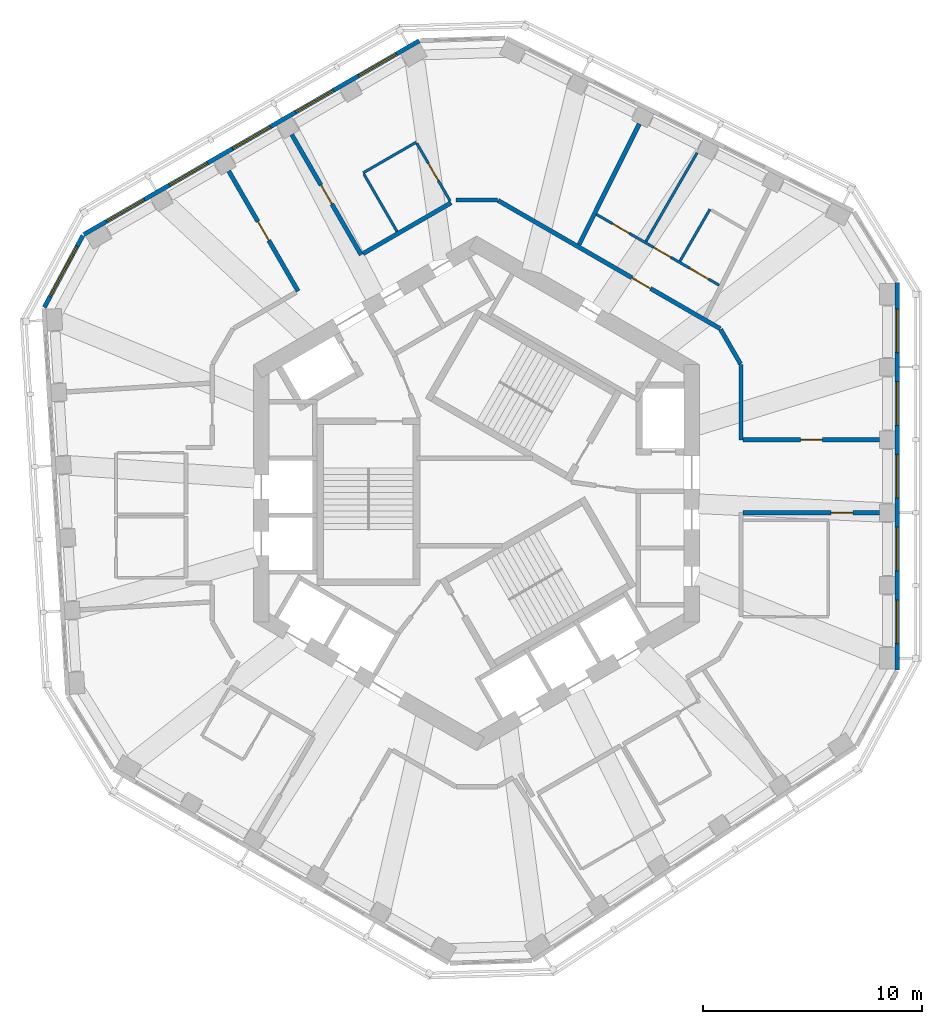
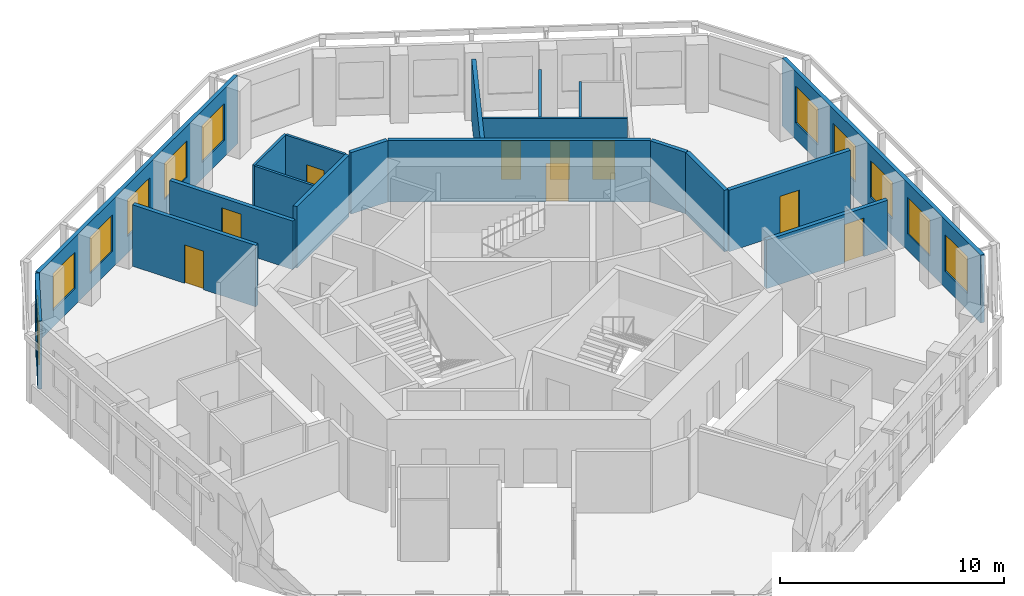
# One storey, part 7 of 11: 19 walls, 11 windows, 9 doors, 20 openings.
"""IFC4 building model written with IfcOpenShell, lengths in metres."""

from ifc_helpers import new_model, si_unit, direction, frame, frame_2d, origin, place, context, subcontext, project, spatial, rectangle, extrude, material, layer, layer_set, type_object, element, fill, save


model = new_model("IFC4")

# Units and contexts
model_context = context("Model", 3, precision=1e-05, world=origin(), true_north=direction((0.0, 1.0)))
body_context = subcontext(model_context, "Body", "Model", "MODEL_VIEW")
ifc_project = project(units=[si_unit("LENGTHUNIT", "METRE"), si_unit("AREAUNIT", "SQUARE_METRE"), si_unit("VOLUMEUNIT", "CUBIC_METRE"), si_unit("PLANEANGLEUNIT", "RADIAN"), si_unit("MASSUNIT", "GRAM", prefix="KILO")], contexts=[model_context])

# Site, building, storey
site_placement = place(None, origin())
site = spatial("IfcSite", under=ifc_project, at=site_placement, CompositionType="ELEMENT")
building_placement = place(site_placement, origin())
building = spatial("IfcBuilding", under=site, at=building_placement, Name="Vanh Sen Convention Tower", CompositionType="ELEMENT")
storey_placement = place(building_placement, frame((0.0, 0.0, 274.60009765625)))
storey = spatial("IfcBuildingStorey", under=building, at=storey_placement, Name="L68", CompositionType="ELEMENT", Elevation=274.60009765625)

# Walls
ifc_material_1 = material(Name="Moisture-resistant gypsum board on steel studs", Category="steel")
ifc_layer_1 = layer(ifc_material_1, 0.1201171875)
ifc_layer_set_1 = layer_set([ifc_layer_1], Name="Moisture-resistant gypsum board on steel studs")
wall_type_1 = type_object("IfcWallType", Name="Bathroom partition 120", PredefinedType="PARTITIONING", material=ifc_layer_set_1)
wall_1_placement = place(storey_placement, frame((-5.19140625, 14.669677734375, 0.0), z_axis=(0.0, 0.0, 1.0), x_axis=(0.866034573852, 0.49998411664, 0.0)))
element("IfcWall", 1, at=wall_1_placement, inside=storey, type_object=wall_type_1, Name="Bathroom partition 120", PredefinedType="PARTITIONING", context=body_context, shape_type="SweptSolid", body=[
    extrude(rectangle(XDim=2.7998046875, YDim=0.1201171875, at=frame_2d((1.39990234375, 0.0))), origin(), (0.0, 0.0, 1.0), 3.349853515625),
])
wall_2_placement = place(storey_placement, frame((-3.641357421875, 11.985107421875, 0.0), z_axis=(0.0, 0.0, 1.0), x_axis=(-0.500026023896, 0.86601037836, 0.0)))
element("IfcWall", 2, at=wall_2_placement, inside=storey, type_object=wall_type_1, Name="Bathroom partition 120", PredefinedType="PARTITIONING", context=body_context, shape_type="SweptSolid", body=[
    extrude(rectangle(XDim=3.039794921875, YDim=0.1201171875, at=frame_2d((1.52001953125, 0.0))), origin(), (0.0, 0.0, 1.0), 3.349853515625),
])

# Wall, opening, door
wall_3_placement = place(storey_placement, frame((-2.736572265625, 16.017578125, 0.0), z_axis=(0.0, 0.0, 1.0), x_axis=(0.500026023896, -0.86601037836, 0.0)))
wall_3 = element("IfcWall", 3, at=wall_3_placement, inside=storey, type_object=wall_type_1, Name="Bathroom partition 120", PredefinedType="PARTITIONING", context=body_context, shape_type="SweptSolid", body=[
    extrude(rectangle(XDim=3.039794921875, YDim=0.1201171875, at=frame_2d((1.52001953125, 0.0))), origin(), (0.0, 0.0, 1.0), 3.349853515625),
])
opening_1_placement = place(wall_3_placement, frame((1.06982421875, 0.0, 0.0)))
opening_1 = element("IfcOpeningElement", 4, at=opening_1_placement, cuts=wall_3, Name="Opening D67107", PredefinedType="OPENING", context=body_context, shape_type="SweptSolid", body=[
    extrude(rectangle(XDim=0.89990234375, YDim=2.10009765625, at=frame_2d((0.449951171875, 1.050048828125))), frame((0.0, 0.070068359375, 0.0), z_axis=(0.0, -1.0, 0.0), x_axis=(1.0, 0.0, 0.0)), (0.0, 0.0, 1.0), 0.14013671875),
])
ifc_material_2 = material(Name="Laminate door in steel frame", Category="steel")
door_type_1 = type_object("IfcDoorType", Name="Room internal door 900", OperationType="SINGLE_SWING_LEFT", PredefinedType="DOOR", material=ifc_material_2)
door_1_placement = place(opening_1_placement, origin())
door_1 = element("IfcDoor", 5, at=door_1_placement, inside=storey, type_object=door_type_1, Name="Internal room door D67107", OperationType="SINGLE_SWING_LEFT", OverallHeight=2.10009765625, OverallWidth=0.89990234375, PredefinedType="DOOR", context=body_context, shape_type="SweptSolid", body=[
    extrude(rectangle(XDim=0.89990234375, YDim=2.10009765625, at=frame_2d((0.449951171875, 1.050048828125))), frame((0.0, 0.02490234375, 0.0), z_axis=(0.0, -1.0, 0.0), x_axis=(1.0, 0.0, 0.0)), (0.0, 0.0, 1.0), 0.050048828125),
])
fill(opening_1, door_1)

# Walls
wall_4_placement = place(storey_placement, frame((10.0908203125, 15.5849609375, 0.0), z_axis=(0.0, 0.0, 1.0), x_axis=(-0.499969186147, -0.86604319344, 0.0)))
element("IfcWall", 6, at=wall_4_placement, inside=storey, type_object=wall_type_1, Name="Bathroom partition 120", PredefinedType="PARTITIONING", context=body_context, shape_type="SweptSolid", body=[
    extrude(rectangle(XDim=4.682373046875, YDim=0.1201171875, at=frame_2d((2.34130859375, 0.0))), origin(), (0.0, 0.0, 1.0), 2.64990234375),
])
wall_5_placement = place(storey_placement, frame((10.6787109375, 13.002685546875, 0.0), z_axis=(0.0, 0.0, 1.0), x_axis=(-0.500048966069, -0.865997131366, 0.0)))
element("IfcWall", 7, at=wall_5_placement, inside=storey, type_object=wall_type_1, Name="Bathroom partition 120", PredefinedType="PARTITIONING", context=body_context, shape_type="SweptSolid", body=[
    extrude(rectangle(XDim=2.739990234375, YDim=0.1201171875, at=frame_2d((1.3701171875, 0.0))), origin(), (0.0, 0.0, 1.0), 3.349853515625),
])

# Wall, openings, doors
wall_6_placement = place(storey_placement, frame((11.097412109375, 9.52783203125, 0.0), z_axis=(0.0, 0.0, 1.0), x_axis=(-0.866039938485, 0.499974824316, 0.0)))
wall_6 = element("IfcWall", 8, at=wall_6_placement, inside=storey, type_object=wall_type_1, Name="Bathroom partition 120", PredefinedType="PARTITIONING", context=body_context, shape_type="SweptSolid", body=[
    extrude(rectangle(XDim=6.475830078125, YDim=0.1201171875, at=frame_2d((3.23779296875, 0.0))), origin(), (0.0, 0.0, 1.0), 3.349853515625),
])
opening_2_placement = place(wall_6_placement, frame((0.550048828125, 0.0, 0.0)))
opening_2 = element("IfcOpeningElement", 9, at=opening_2_placement, cuts=wall_6, Name="Opening D67103", PredefinedType="OPENING", context=body_context, shape_type="SweptSolid", body=[
    extrude(rectangle(XDim=1.0, YDim=2.10009765625, at=frame_2d((0.5, 1.050048828125))), frame((0.0, 0.070068359375, 0.0), z_axis=(0.0, -1.0, 0.0), x_axis=(1.0, 0.0, 0.0)), (0.0, 0.0, 1.0), 0.14013671875),
])
opening_3_placement = place(wall_6_placement, frame((2.550048828125, 0.0, 0.0)))
opening_3 = element("IfcOpeningElement", 10, at=opening_3_placement, cuts=wall_6, Name="Opening D67104", PredefinedType="OPENING", context=body_context, shape_type="SweptSolid", body=[
    extrude(rectangle(XDim=0.89990234375, YDim=2.10009765625, at=frame_2d((0.449951171875, 1.050048828125))), frame((0.0, 0.070068359375, 0.0), z_axis=(0.0, -1.0, 0.0), x_axis=(1.0, 0.0, 0.0)), (0.0, 0.0, 1.0), 0.14013671875),
])
opening_4_placement = place(wall_6_placement, frame((4.73779296875, 0.0, 0.0)))
opening_4 = element("IfcOpeningElement", 11, at=opening_4_placement, cuts=wall_6, Name="Opening D67105", PredefinedType="OPENING", context=body_context, shape_type="SweptSolid", body=[
    extrude(rectangle(XDim=0.89990234375, YDim=2.10009765625, at=frame_2d((0.449951171875, 1.050048828125))), frame((0.0, 0.070068359375, 0.0), z_axis=(0.0, -1.0, 0.0), x_axis=(1.0, 0.0, 0.0)), (0.0, 0.0, 1.0), 0.14013671875),
])
door_type_2 = type_object("IfcDoorType", Name="Accessible WC door 1000", OperationType="SINGLE_SWING_LEFT", PredefinedType="DOOR", material=ifc_material_2)
door_2_placement = place(opening_2_placement, origin())
door_2 = element("IfcDoor", 12, at=door_2_placement, inside=storey, type_object=door_type_2, Name="Accessible WC door D67103", OperationType="SINGLE_SWING_LEFT", OverallHeight=2.10009765625, OverallWidth=1.0, PredefinedType="DOOR", context=body_context, shape_type="SweptSolid", body=[
    extrude(rectangle(XDim=1.0, YDim=2.10009765625, at=frame_2d((0.5, 1.050048828125))), frame((0.0, 0.02490234375, 0.0), z_axis=(0.0, -1.0, 0.0), x_axis=(1.0, 0.0, 0.0)), (0.0, 0.0, 1.0), 0.050048828125),
])
fill(opening_2, door_2)
door_3_placement = place(opening_3_placement, origin())
door_3 = element("IfcDoor", 13, at=door_3_placement, inside=storey, type_object=door_type_1, Name="Internal room door D67104", OperationType="SINGLE_SWING_LEFT", OverallHeight=2.10009765625, OverallWidth=0.89990234375, PredefinedType="DOOR", context=body_context, shape_type="SweptSolid", body=[
    extrude(rectangle(XDim=0.89990234375, YDim=2.10009765625, at=frame_2d((0.449951171875, 1.050048828125))), frame((0.0, 0.02490234375, 0.0), z_axis=(0.0, -1.0, 0.0), x_axis=(1.0, 0.0, 0.0)), (0.0, 0.0, 1.0), 0.050048828125),
])
fill(opening_3, door_3)
door_4_placement = place(opening_4_placement, origin())
door_4 = element("IfcDoor", 14, at=door_4_placement, inside=storey, type_object=door_type_1, Name="Internal room door D67105", OperationType="SINGLE_SWING_LEFT", OverallHeight=2.10009765625, OverallWidth=0.89990234375, PredefinedType="DOOR", context=body_context, shape_type="SweptSolid", body=[
    extrude(rectangle(XDim=0.89990234375, YDim=2.10009765625, at=frame_2d((0.449951171875, 1.050048828125))), frame((0.0, 0.02490234375, 0.0), z_axis=(0.0, -1.0, 0.0), x_axis=(1.0, 0.0, 0.0)), (0.0, 0.0, 1.0), 0.050048828125),
])
fill(opening_4, door_4)

# Wall, opening, door
ifc_material_3 = material(Name="Gypsum board on steel studs with mineral wool", Category="steel")
ifc_layer_2 = layer(ifc_material_3, 0.199951171875)
ifc_layer_set_2 = layer_set([ifc_layer_2], Name="Gypsum board on steel studs with mineral wool")
wall_type_2 = type_object("IfcWallType", Name="Corridor partition wall 200", PredefinedType="PARTITIONING", material=ifc_layer_set_2)
wall_7_placement = place(storey_placement, frame((-11.34521484375, 14.754150390625, 0.0), z_axis=(0.0, 0.0, 1.0), x_axis=(0.500005339912, -0.866022320763, 0.0)))
wall_7 = element("IfcWall", 15, at=wall_7_placement, inside=storey, type_object=wall_type_2, Name="Corridor partition wall 200", PredefinedType="PARTITIONING", context=body_context, shape_type="SweptSolid", body=[
    extrude(rectangle(XDim=6.35009765625, YDim=0.199951171875, at=frame_2d((3.175048828125, 0.0))), origin(), (0.0, 0.0, 1.0), 3.349853515625),
])
opening_5_placement = place(wall_7_placement, frame((2.675048828125, 0.0, 0.0)))
opening_5 = element("IfcOpeningElement", 16, at=opening_5_placement, cuts=wall_7, Name="Opening D67108", PredefinedType="OPENING", context=body_context, shape_type="SweptSolid", body=[
    extrude(rectangle(XDim=1.0, YDim=2.10009765625, at=frame_2d((0.5, 1.050048828125))), frame((0.0, 0.10986328125, 0.0), z_axis=(0.0, -1.0, 0.0), x_axis=(1.0, 0.0, 0.0)), (0.0, 0.0, 1.0), 0.219970703125),
])
ifc_material_4 = material(Name="Timber fire door in steel frame", Category="steel")
door_type_3 = type_object("IfcDoorType", Name="Floor room door 1000", OperationType="SINGLE_SWING_LEFT", PredefinedType="DOOR", material=ifc_material_4)
door_5_placement = place(opening_5_placement, origin())
door_5 = element("IfcDoor", 17, at=door_5_placement, inside=storey, type_object=door_type_3, Name="Meeting and amenity room door D67108", OperationType="SINGLE_SWING_LEFT", OverallHeight=2.10009765625, OverallWidth=1.0, PredefinedType="DOOR", context=body_context, shape_type="SweptSolid", body=[
    extrude(rectangle(XDim=1.0, YDim=2.10009765625, at=frame_2d((0.5, 1.050048828125))), frame((0.0, 0.02490234375, 0.0), z_axis=(0.0, -1.0, 0.0), x_axis=(1.0, 0.0, 0.0)), (0.0, 0.0, 1.0), 0.050048828125),
])
fill(opening_5, door_5)

wall_8_placement = place(storey_placement, frame((-8.4599609375, 16.419921875, 0.0), z_axis=(0.0, 0.0, 1.0), x_axis=(0.500005339912, -0.866022320763, 0.0)))
wall_8 = element("IfcWall", 18, at=wall_8_placement, inside=storey, type_object=wall_type_2, Name="Corridor partition wall 200", PredefinedType="PARTITIONING", context=body_context, shape_type="SweptSolid", body=[
    extrude(rectangle(XDim=6.35009765625, YDim=0.199951171875, at=frame_2d((3.175048828125, 0.0))), origin(), (0.0, 0.0, 1.0), 2.64990234375),
])
opening_6_placement = place(wall_8_placement, frame((2.675048828125, 0.0, 0.0)))
opening_6 = element("IfcOpeningElement", 19, at=opening_6_placement, cuts=wall_8, Name="Opening D67106", PredefinedType="OPENING", context=body_context, shape_type="SweptSolid", body=[
    extrude(rectangle(XDim=1.0, YDim=2.10009765625, at=frame_2d((0.5, 1.050048828125))), frame((0.0, 0.10986328125, 0.0), z_axis=(0.0, -1.0, 0.0), x_axis=(1.0, 0.0, 0.0)), (0.0, 0.0, 1.0), 0.219970703125),
])
ifc_material_5 = material(Name="Glazed fire door in steel frame", Category="steel")
door_type_4 = type_object("IfcDoorType", Name="Tenant entrance door 1000", OperationType="SINGLE_SWING_LEFT", PredefinedType="DOOR", material=ifc_material_5)
door_6_placement = place(opening_6_placement, origin())
door_6 = element("IfcDoor", 20, at=door_6_placement, inside=storey, type_object=door_type_4, Name="Tenant suite entrance door D67106", OperationType="SINGLE_SWING_LEFT", OverallHeight=2.10009765625, OverallWidth=1.0, PredefinedType="DOOR", context=body_context, shape_type="SweptSolid", body=[
    extrude(rectangle(XDim=1.0, YDim=2.10009765625, at=frame_2d((0.5, 1.050048828125))), frame((0.0, 0.02490234375, 0.0), z_axis=(0.0, -1.0, 0.0), x_axis=(1.0, 0.0, 0.0)), (0.0, 0.0, 1.0), 0.050048828125),
])
fill(opening_6, door_6)

# Walls
wall_9_placement = place(storey_placement, frame((-1.16650390625, 13.29833984375, 0.0), z_axis=(0.0, 0.0, 1.0), x_axis=(-0.866033631887, -0.499985748238, 0.0)))
element("IfcWall", 21, at=wall_9_placement, inside=storey, type_object=wall_type_2, Name="Corridor partition wall 200", PredefinedType="PARTITIONING", context=body_context, shape_type="SweptSolid", body=[
    extrude(rectangle(XDim=4.655517578125, YDim=0.199951171875, at=frame_2d((2.32763671875, 0.0))), origin(), (0.0, 0.0, 1.0), 3.349853515625),
])
wall_10_placement = place(storey_placement, frame((0.949951171875, 13.42333984375, 0.0), z_axis=(0.0, 0.0, 1.0), x_axis=(-1.0, 0.0, 0.0)))
element("IfcWall", 22, at=wall_10_placement, inside=storey, type_object=wall_type_2, Name="Corridor partition wall 200", PredefinedType="PARTITIONING", context=body_context, shape_type="SweptSolid", body=[
    extrude(rectangle(XDim=1.89990234375, YDim=0.199951171875, at=frame_2d((0.949951171875, 0.0))), origin(), (0.0, 0.0, 1.0), 3.349853515625),
])

# Wall, opening, door
wall_11_placement = place(storey_placement, frame((11.14990234375, 7.534423828125, 0.0), z_axis=(0.0, 0.0, 1.0), x_axis=(-0.866026603062, 0.499997922785, 0.0)))
wall_11 = element("IfcWall", 23, at=wall_11_placement, inside=storey, type_object=wall_type_2, Name="Corridor partition wall 200", PredefinedType="PARTITIONING", context=body_context, shape_type="SweptSolid", body=[
    extrude(rectangle(XDim=11.73779296875, YDim=0.199951171875, at=frame_2d((5.868896484375, 0.0))), origin(), (0.0, 0.0, 1.0), 3.349853515625),
])
opening_7_placement = place(wall_11_placement, frame((3.67626953125, 0.0, 0.0)))
opening_7 = element("IfcOpeningElement", 24, at=opening_7_placement, cuts=wall_11, Name="Opening D67102", PredefinedType="OPENING", context=body_context, shape_type="SweptSolid", body=[
    extrude(rectangle(XDim=1.0, YDim=2.10009765625, at=frame_2d((0.5, 1.050048828125))), frame((0.0, 0.10986328125, 0.0), z_axis=(0.0, -1.0, 0.0), x_axis=(1.0, 0.0, 0.0)), (0.0, 0.0, 1.0), 0.219970703125),
])
door_7_placement = place(opening_7_placement, origin())
door_7 = element("IfcDoor", 25, at=door_7_placement, inside=storey, type_object=door_type_3, Name="Meeting and amenity room door D67102", OperationType="SINGLE_SWING_LEFT", OverallHeight=2.10009765625, OverallWidth=1.0, PredefinedType="DOOR", context=body_context, shape_type="SweptSolid", body=[
    extrude(rectangle(XDim=1.0, YDim=2.10009765625, at=frame_2d((0.5, 1.050048828125))), frame((0.0, 0.02490234375, 0.0), z_axis=(0.0, -1.0, 0.0), x_axis=(1.0, 0.0, 0.0)), (0.0, 0.0, 1.0), 0.050048828125),
])
fill(opening_7, door_7)

# Walls
wall_12_placement = place(storey_placement, frame((12.080078125, 5.923583984375, 0.0), z_axis=(0.0, 0.0, 1.0), x_axis=(-0.500004960326, 0.86602253992, 0.0)))
element("IfcWall", 26, at=wall_12_placement, inside=storey, type_object=wall_type_2, Name="Corridor partition wall 200", PredefinedType="PARTITIONING", context=body_context, shape_type="SweptSolid", body=[
    extrude(rectangle(XDim=1.8203125, YDim=0.199951171875, at=frame_2d((0.91015625, 0.0))), origin(), (0.0, 0.0, 1.0), 3.349853515625),
])
wall_13_placement = place(storey_placement, frame((12.10009765625, 2.4482421875, 0.0), z_axis=(0.0, 0.0, 1.0), x_axis=(0.0, 1.0, 0.0)))
element("IfcWall", 27, at=wall_13_placement, inside=storey, type_object=wall_type_2, Name="Corridor partition wall 200", PredefinedType="PARTITIONING", context=body_context, shape_type="SweptSolid", body=[
    extrude(rectangle(XDim=3.440673828125, YDim=0.199951171875, at=frame_2d((1.72021484375, 0.0))), origin(), (0.0, 0.0, 1.0), 3.349853515625),
])

# Wall, opening, door
wall_14_placement = place(storey_placement, frame((12.199951171875, -0.88330078125, 0.0), z_axis=(0.0, 0.0, 1.0), x_axis=(1.0, 0.0, 0.0)))
wall_14 = element("IfcWall", 28, at=wall_14_placement, inside=storey, type_object=wall_type_2, Name="Corridor partition wall 200", PredefinedType="PARTITIONING", context=body_context, shape_type="SweptSolid", body=[
    extrude(rectangle(XDim=6.25, YDim=0.199951171875, at=frame_2d((3.125, 0.0))), origin(), (0.0, 0.0, 1.0), 2.64990234375),
])
opening_8_placement = place(wall_14_placement, frame((4.02490234375, 0.0, 0.0)))
opening_8 = element("IfcOpeningElement", 29, at=opening_8_placement, cuts=wall_14, Name="Opening D67118", PredefinedType="OPENING", context=body_context, shape_type="SweptSolid", body=[
    extrude(rectangle(XDim=1.0, YDim=2.10009765625, at=frame_2d((0.5, 1.050048828125))), frame((0.0, 0.10986328125, 0.0), z_axis=(0.0, -1.0, 0.0), x_axis=(1.0, 0.0, 0.0)), (0.0, 0.0, 1.0), 0.219970703125),
])
door_8_placement = place(opening_8_placement, origin())
door_8 = element("IfcDoor", 30, at=door_8_placement, inside=storey, type_object=door_type_4, Name="Tenant suite entrance door D67118", OperationType="SINGLE_SWING_LEFT", OverallHeight=2.10009765625, OverallWidth=1.0, PredefinedType="DOOR", context=body_context, shape_type="SweptSolid", body=[
    extrude(rectangle(XDim=1.0, YDim=2.10009765625, at=frame_2d((0.5, 1.050048828125))), frame((0.0, 0.02490234375, 0.0), z_axis=(0.0, -1.0, 0.0), x_axis=(1.0, 0.0, 0.0)), (0.0, 0.0, 1.0), 0.050048828125),
])
fill(opening_8, door_8)

wall_15_placement = place(storey_placement, frame((18.449951171875, 2.4482421875, 0.0), z_axis=(0.0, 0.0, 1.0), x_axis=(-1.0, 0.0, 0.0)))
wall_15 = element("IfcWall", 31, at=wall_15_placement, inside=storey, type_object=wall_type_2, Name="Corridor partition wall 200", PredefinedType="PARTITIONING", context=body_context, shape_type="SweptSolid", body=[
    extrude(rectangle(XDim=6.25, YDim=0.199951171875, at=frame_2d((3.125, 0.0))), origin(), (0.0, 0.0, 1.0), 3.349853515625),
])
opening_9_placement = place(wall_15_placement, frame((2.625, 0.0, 0.0)))
opening_9 = element("IfcOpeningElement", 32, at=opening_9_placement, cuts=wall_15, Name="Opening D67101", PredefinedType="OPENING", context=body_context, shape_type="SweptSolid", body=[
    extrude(rectangle(XDim=1.0, YDim=2.10009765625, at=frame_2d((0.5, 1.050048828125))), frame((0.0, 0.10986328125, 0.0), z_axis=(0.0, -1.0, 0.0), x_axis=(1.0, 0.0, 0.0)), (0.0, 0.0, 1.0), 0.219970703125),
])
door_9_placement = place(opening_9_placement, origin())
door_9 = element("IfcDoor", 33, at=door_9_placement, inside=storey, type_object=door_type_3, Name="Meeting and amenity room door D67101", OperationType="SINGLE_SWING_LEFT", OverallHeight=2.10009765625, OverallWidth=1.0, PredefinedType="DOOR", context=body_context, shape_type="SweptSolid", body=[
    extrude(rectangle(XDim=1.0, YDim=2.10009765625, at=frame_2d((0.5, 1.050048828125))), frame((0.0, 0.02490234375, 0.0), z_axis=(0.0, -1.0, 0.0), x_axis=(1.0, 0.0, 0.0)), (0.0, 0.0, 1.0), 0.050048828125),
])
fill(opening_9, door_9)

# Wall, openings, windows
ifc_material_6 = material(Name="Insulated lightweight infill wall")
ifc_layer_3 = layer(ifc_material_6, 0.199951171875)
ifc_layer_set_3 = layer_set([ifc_layer_3], Name="Insulated lightweight infill wall")
wall_type_3 = type_object("IfcWallType", Name="External wall 200", PredefinedType="STANDARD", material=ifc_layer_set_3)
wall_16_placement = place(storey_placement, frame((19.25, -8.083984375, 0.0), z_axis=(0.0, 0.0, 1.0), x_axis=(0.0, 1.0, 0.0)))
wall_16 = element("IfcWall", 34, at=wall_16_placement, inside=storey, type_object=wall_type_3, Name="External wall E L68", PredefinedType="STANDARD", context=body_context, shape_type="SweptSolid", body=[
    extrude(rectangle(XDim=17.731201171875, YDim=0.199951171875, at=frame_2d((8.86572265625, 0.0))), origin(), (0.0, 0.0, 1.0), 3.699951171875),
])
opening_10_placement = place(wall_16_placement, frame((1.203125, 0.0, 0.89990234375)))
opening_10 = element("IfcOpeningElement", 35, at=opening_10_placement, cuts=wall_16, Name="Opening WO5-E1", PredefinedType="OPENING", context=body_context, shape_type="SweptSolid", body=[
    extrude(rectangle(XDim=2.0, YDim=2.0, at=frame_2d((1.0, 1.0))), frame((0.0, 0.10986328125, 0.0), z_axis=(0.0, -1.0, 0.0), x_axis=(1.0, 0.0, 0.0)), (0.0, 0.0, 1.0), 0.219970703125),
])
opening_11_placement = place(wall_16_placement, frame((4.534912109375, 0.0, 0.89990234375)))
opening_11 = element("IfcOpeningElement", 36, at=opening_11_placement, cuts=wall_16, Name="Opening WO5-E2", PredefinedType="OPENING", context=body_context, shape_type="SweptSolid", body=[
    extrude(rectangle(XDim=2.0, YDim=2.0, at=frame_2d((1.0, 1.0))), frame((0.0, 0.10986328125, 0.0), z_axis=(0.0, -1.0, 0.0), x_axis=(1.0, 0.0, 0.0)), (0.0, 0.0, 1.0), 0.219970703125),
])
opening_12_placement = place(wall_16_placement, frame((7.866455078125, 0.0, 0.89990234375)))
opening_12 = element("IfcOpeningElement", 37, at=opening_12_placement, cuts=wall_16, Name="Opening WO5-E3", PredefinedType="OPENING", context=body_context, shape_type="SweptSolid", body=[
    extrude(rectangle(XDim=2.0, YDim=2.0, at=frame_2d((1.0, 1.0))), frame((0.0, 0.10986328125, 0.0), z_axis=(0.0, -1.0, 0.0), x_axis=(1.0, 0.0, 0.0)), (0.0, 0.0, 1.0), 0.219970703125),
])
opening_13_placement = place(wall_16_placement, frame((11.197998046875, 0.0, 0.89990234375)))
opening_13 = element("IfcOpeningElement", 38, at=opening_13_placement, cuts=wall_16, Name="Opening WO5-E4", PredefinedType="OPENING", context=body_context, shape_type="SweptSolid", body=[
    extrude(rectangle(XDim=2.0, YDim=2.0, at=frame_2d((1.0, 1.0))), frame((0.0, 0.10986328125, 0.0), z_axis=(0.0, -1.0, 0.0), x_axis=(1.0, 0.0, 0.0)), (0.0, 0.0, 1.0), 0.219970703125),
])
opening_14_placement = place(wall_16_placement, frame((14.52978515625, 0.0, 0.89990234375)))
opening_14 = element("IfcOpeningElement", 39, at=opening_14_placement, cuts=wall_16, Name="Opening WO5-E5", PredefinedType="OPENING", context=body_context, shape_type="SweptSolid", body=[
    extrude(rectangle(XDim=2.0, YDim=2.0, at=frame_2d((1.0, 1.0))), frame((0.0, 0.10986328125, 0.0), z_axis=(0.0, -1.0, 0.0), x_axis=(1.0, 0.0, 0.0)), (0.0, 0.0, 1.0), 0.219970703125),
])
ifc_material_7 = material(Name="Aluminium frame with clear low-emissivity glass", Category="aluminium")
window_type_1 = type_object("IfcWindowType", Name="Office window 2000 x 2000", PartitioningType="SINGLE_PANEL", PredefinedType="WINDOW", material=ifc_material_7)
window_1_placement = place(opening_10_placement, origin())
window_1 = element("IfcWindow", 40, at=window_1_placement, inside=storey, type_object=window_type_1, Name="Window WO5-E1", OverallHeight=2.0, OverallWidth=2.0, PartitioningType="SINGLE_PANEL", PredefinedType="WINDOW", context=body_context, shape_type="SweptSolid", body=[
    extrude(rectangle(XDim=2.0, YDim=2.0, at=frame_2d((1.0, 1.0))), frame((0.0, 0.030029296875, 0.0), z_axis=(0.0, -1.0, 0.0), x_axis=(1.0, 0.0, 0.0)), (0.0, 0.0, 1.0), 0.06005859375),
])
fill(opening_10, window_1)
window_2_placement = place(opening_11_placement, origin())
window_2 = element("IfcWindow", 41, at=window_2_placement, inside=storey, type_object=window_type_1, Name="Window WO5-E2", OverallHeight=2.0, OverallWidth=2.0, PartitioningType="SINGLE_PANEL", PredefinedType="WINDOW", context=body_context, shape_type="SweptSolid", body=[
    extrude(rectangle(XDim=2.0, YDim=2.0, at=frame_2d((1.0, 1.0))), frame((0.0, 0.030029296875, 0.0), z_axis=(0.0, -1.0, 0.0), x_axis=(1.0, 0.0, 0.0)), (0.0, 0.0, 1.0), 0.06005859375),
])
fill(opening_11, window_2)
window_3_placement = place(opening_12_placement, origin())
window_3 = element("IfcWindow", 42, at=window_3_placement, inside=storey, type_object=window_type_1, Name="Window WO5-E3", OverallHeight=2.0, OverallWidth=2.0, PartitioningType="SINGLE_PANEL", PredefinedType="WINDOW", context=body_context, shape_type="SweptSolid", body=[
    extrude(rectangle(XDim=2.0, YDim=2.0, at=frame_2d((1.0, 1.0))), frame((0.0, 0.030029296875, 0.0), z_axis=(0.0, -1.0, 0.0), x_axis=(1.0, 0.0, 0.0)), (0.0, 0.0, 1.0), 0.06005859375),
])
fill(opening_12, window_3)
window_4_placement = place(opening_13_placement, origin())
window_4 = element("IfcWindow", 43, at=window_4_placement, inside=storey, type_object=window_type_1, Name="Window WO5-E4", OverallHeight=2.0, OverallWidth=2.0, PartitioningType="SINGLE_PANEL", PredefinedType="WINDOW", context=body_context, shape_type="SweptSolid", body=[
    extrude(rectangle(XDim=2.0, YDim=2.0, at=frame_2d((1.0, 1.0))), frame((0.0, 0.030029296875, 0.0), z_axis=(0.0, -1.0, 0.0), x_axis=(1.0, 0.0, 0.0)), (0.0, 0.0, 1.0), 0.06005859375),
])
fill(opening_13, window_4)
window_5_placement = place(opening_14_placement, origin())
window_5 = element("IfcWindow", 44, at=window_5_placement, inside=storey, type_object=window_type_1, Name="Window WO5-E5", OverallHeight=2.0, OverallWidth=2.0, PartitioningType="SINGLE_PANEL", PredefinedType="WINDOW", context=body_context, shape_type="SweptSolid", body=[
    extrude(rectangle(XDim=2.0, YDim=2.0, at=frame_2d((1.0, 1.0))), frame((0.0, 0.030029296875, 0.0), z_axis=(0.0, -1.0, 0.0), x_axis=(1.0, 0.0, 0.0)), (0.0, 0.0, 1.0), 0.06005859375),
])
fill(opening_14, window_5)

wall_17_placement = place(storey_placement, frame((-2.623779296875, 20.713134765625, 0.0), z_axis=(0.0, 0.0, 1.0), x_axis=(-0.866026460444, -0.499998169808, 0.0)))
wall_17 = element("IfcWall", 45, at=wall_17_placement, inside=storey, type_object=wall_type_3, Name="External wall NW L68", PredefinedType="STANDARD", context=body_context, shape_type="SweptSolid", body=[
    extrude(rectangle(XDim=17.7314453125, YDim=0.199951171875, at=frame_2d((8.86572265625, 0.0))), origin(), (0.0, 0.0, 1.0), 3.699951171875),
])
opening_15_placement = place(wall_17_placement, frame((1.203125, 0.0, 0.89990234375)))
opening_15 = element("IfcOpeningElement", 46, at=opening_15_placement, cuts=wall_17, Name="Opening WO5-NW1", PredefinedType="OPENING", context=body_context, shape_type="SweptSolid", body=[
    extrude(rectangle(XDim=2.0, YDim=2.0, at=frame_2d((1.0, 1.0))), frame((0.0, 0.10986328125, 0.0), z_axis=(0.0, -1.0, 0.0), x_axis=(1.0, 0.0, 0.0)), (0.0, 0.0, 1.0), 0.219970703125),
])
opening_16_placement = place(wall_17_placement, frame((4.534912109375, 0.0, 0.89990234375)))
opening_16 = element("IfcOpeningElement", 47, at=opening_16_placement, cuts=wall_17, Name="Opening WO5-NW2", PredefinedType="OPENING", context=body_context, shape_type="SweptSolid", body=[
    extrude(rectangle(XDim=2.0, YDim=2.0, at=frame_2d((1.0, 1.0))), frame((0.0, 0.10986328125, 0.0), z_axis=(0.0, -1.0, 0.0), x_axis=(1.0, 0.0, 0.0)), (0.0, 0.0, 1.0), 0.219970703125),
])
opening_17_placement = place(wall_17_placement, frame((7.86669921875, 0.0, 0.89990234375)))
opening_17 = element("IfcOpeningElement", 48, at=opening_17_placement, cuts=wall_17, Name="Opening WO5-NW3", PredefinedType="OPENING", context=body_context, shape_type="SweptSolid", body=[
    extrude(rectangle(XDim=2.0, YDim=2.0, at=frame_2d((1.0, 1.0))), frame((0.0, 0.10986328125, 0.0), z_axis=(0.0, -1.0, 0.0), x_axis=(1.0, 0.0, 0.0)), (0.0, 0.0, 1.0), 0.219970703125),
])
opening_18_placement = place(wall_17_placement, frame((11.1982421875, 0.0, 0.89990234375)))
opening_18 = element("IfcOpeningElement", 49, at=opening_18_placement, cuts=wall_17, Name="Opening WO5-NW4", PredefinedType="OPENING", context=body_context, shape_type="SweptSolid", body=[
    extrude(rectangle(XDim=2.0, YDim=2.0, at=frame_2d((1.0, 1.0))), frame((0.0, 0.10986328125, 0.0), z_axis=(0.0, -1.0, 0.0), x_axis=(1.0, 0.0, 0.0)), (0.0, 0.0, 1.0), 0.219970703125),
])
opening_19_placement = place(wall_17_placement, frame((14.52978515625, 0.0, 0.89990234375)))
opening_19 = element("IfcOpeningElement", 50, at=opening_19_placement, cuts=wall_17, Name="Opening WO5-NW5", PredefinedType="OPENING", context=body_context, shape_type="SweptSolid", body=[
    extrude(rectangle(XDim=2.0, YDim=2.0, at=frame_2d((1.0, 1.0))), frame((0.0, 0.10986328125, 0.0), z_axis=(0.0, -1.0, 0.0), x_axis=(1.0, 0.0, 0.0)), (0.0, 0.0, 1.0), 0.219970703125),
])
window_6_placement = place(opening_15_placement, origin())
window_6 = element("IfcWindow", 51, at=window_6_placement, inside=storey, type_object=window_type_1, Name="Window WO5-NW1", OverallHeight=2.0, OverallWidth=2.0, PartitioningType="SINGLE_PANEL", PredefinedType="WINDOW", context=body_context, shape_type="SweptSolid", body=[
    extrude(rectangle(XDim=2.0, YDim=2.0, at=frame_2d((1.0, 1.0))), frame((0.0, 0.030029296875, 0.0), z_axis=(0.0, -1.0, 0.0), x_axis=(1.0, 0.0, 0.0)), (0.0, 0.0, 1.0), 0.06005859375),
])
fill(opening_15, window_6)
window_7_placement = place(opening_16_placement, origin())
window_7 = element("IfcWindow", 52, at=window_7_placement, inside=storey, type_object=window_type_1, Name="Window WO5-NW2", OverallHeight=2.0, OverallWidth=2.0, PartitioningType="SINGLE_PANEL", PredefinedType="WINDOW", context=body_context, shape_type="SweptSolid", body=[
    extrude(rectangle(XDim=2.0, YDim=2.0, at=frame_2d((1.0, 1.0))), frame((0.0, 0.030029296875, 0.0), z_axis=(0.0, -1.0, 0.0), x_axis=(1.0, 0.0, 0.0)), (0.0, 0.0, 1.0), 0.06005859375),
])
fill(opening_16, window_7)
window_8_placement = place(opening_17_placement, origin())
window_8 = element("IfcWindow", 53, at=window_8_placement, inside=storey, type_object=window_type_1, Name="Window WO5-NW3", OverallHeight=2.0, OverallWidth=2.0, PartitioningType="SINGLE_PANEL", PredefinedType="WINDOW", context=body_context, shape_type="SweptSolid", body=[
    extrude(rectangle(XDim=2.0, YDim=2.0, at=frame_2d((1.0, 1.0))), frame((0.0, 0.030029296875, 0.0), z_axis=(0.0, -1.0, 0.0), x_axis=(1.0, 0.0, 0.0)), (0.0, 0.0, 1.0), 0.06005859375),
])
fill(opening_17, window_8)
window_9_placement = place(opening_18_placement, origin())
window_9 = element("IfcWindow", 54, at=window_9_placement, inside=storey, type_object=window_type_1, Name="Window WO5-NW4", OverallHeight=2.0, OverallWidth=2.0, PartitioningType="SINGLE_PANEL", PredefinedType="WINDOW", context=body_context, shape_type="SweptSolid", body=[
    extrude(rectangle(XDim=2.0, YDim=2.0, at=frame_2d((1.0, 1.0))), frame((0.0, 0.030029296875, 0.0), z_axis=(0.0, -1.0, 0.0), x_axis=(1.0, 0.0, 0.0)), (0.0, 0.0, 1.0), 0.06005859375),
])
fill(opening_18, window_9)
window_10_placement = place(opening_19_placement, origin())
window_10 = element("IfcWindow", 55, at=window_10_placement, inside=storey, type_object=window_type_1, Name="Window WO5-NW5", OverallHeight=2.0, OverallWidth=2.0, PartitioningType="SINGLE_PANEL", PredefinedType="WINDOW", context=body_context, shape_type="SweptSolid", body=[
    extrude(rectangle(XDim=2.0, YDim=2.0, at=frame_2d((1.0, 1.0))), frame((0.0, 0.030029296875, 0.0), z_axis=(0.0, -1.0, 0.0), x_axis=(1.0, 0.0, 0.0)), (0.0, 0.0, 1.0), 0.06005859375),
])
fill(opening_19, window_10)

# Wall, opening, window
wall_18_placement = place(storey_placement, frame((-18.017822265625, 11.80810546875, 0.0), z_axis=(0.0, 0.0, 1.0), x_axis=(-0.473318619185, -0.880891301315, 0.0)))
wall_18 = element("IfcWall", 56, at=wall_18_placement, inside=storey, type_object=wall_type_3, Name="External wall CH3 L68", PredefinedType="STANDARD", context=body_context, shape_type="SweptSolid", body=[
    extrude(rectangle(XDim=3.746826171875, YDim=0.199951171875, at=frame_2d((1.87353515625, 0.0))), origin(), (0.0, 0.0, 1.0), 3.699951171875),
])
opening_20_placement = place(wall_18_placement, frame((0.5732421875, 0.0, 0.89990234375)))
opening_20 = element("IfcOpeningElement", 57, at=opening_20_placement, cuts=wall_18, Name="Opening WO6-CH31", PredefinedType="OPENING", context=body_context, shape_type="SweptSolid", body=[
    extrude(rectangle(XDim=2.60009765625, YDim=2.0, at=frame_2d((1.300048828125, 1.0))), frame((0.0, 0.10986328125, 0.0), z_axis=(0.0, -1.0, 0.0), x_axis=(1.0, 0.0, 0.0)), (0.0, 0.0, 1.0), 0.219970703125),
])
window_type_2 = type_object("IfcWindowType", Name="Office window 2600 x 2000", PartitioningType="SINGLE_PANEL", PredefinedType="WINDOW", material=ifc_material_7)
window_11_placement = place(opening_20_placement, origin())
window_11 = element("IfcWindow", 58, at=window_11_placement, inside=storey, type_object=window_type_2, Name="Window WO6-CH31", OverallHeight=2.0, OverallWidth=2.60009765625, PartitioningType="SINGLE_PANEL", PredefinedType="WINDOW", context=body_context, shape_type="SweptSolid", body=[
    extrude(rectangle(XDim=2.60009765625, YDim=2.0, at=frame_2d((1.300048828125, 1.0))), frame((0.0, 0.030029296875, 0.0), z_axis=(0.0, -1.0, 0.0), x_axis=(1.0, 0.0, 0.0)), (0.0, 0.0, 1.0), 0.06005859375),
])
fill(opening_20, window_11)

# Wall
ifc_layer_4 = layer(ifc_material_3, 0.199951171875)
ifc_layer_set_4 = layer_set([ifc_layer_4], Name="Gypsum board on steel studs with mineral wool")
wall_type_4 = type_object("IfcWallType", Name="Tenant suite wall 200", PredefinedType="PARTITIONING", material=ifc_layer_set_4)
wall_19_placement = place(storey_placement, frame((7.441650390625, 16.90576171875, 0.0), z_axis=(0.0, 0.0, 1.0), x_axis=(-0.446183401262, -0.894941546939, 0.0)))
element("IfcWall", 59, at=wall_19_placement, inside=storey, type_object=wall_type_4, Name="Tenant suite wall 200", PredefinedType="PARTITIONING", context=body_context, shape_type="SweptSolid", body=[
    extrude(rectangle(XDim=6.163330078125, YDim=0.199951171875, at=frame_2d((3.08154296875, 0.0))), origin(), (0.0, 0.0, 1.0), 3.349853515625),
])

save(model, "model.ifc")
